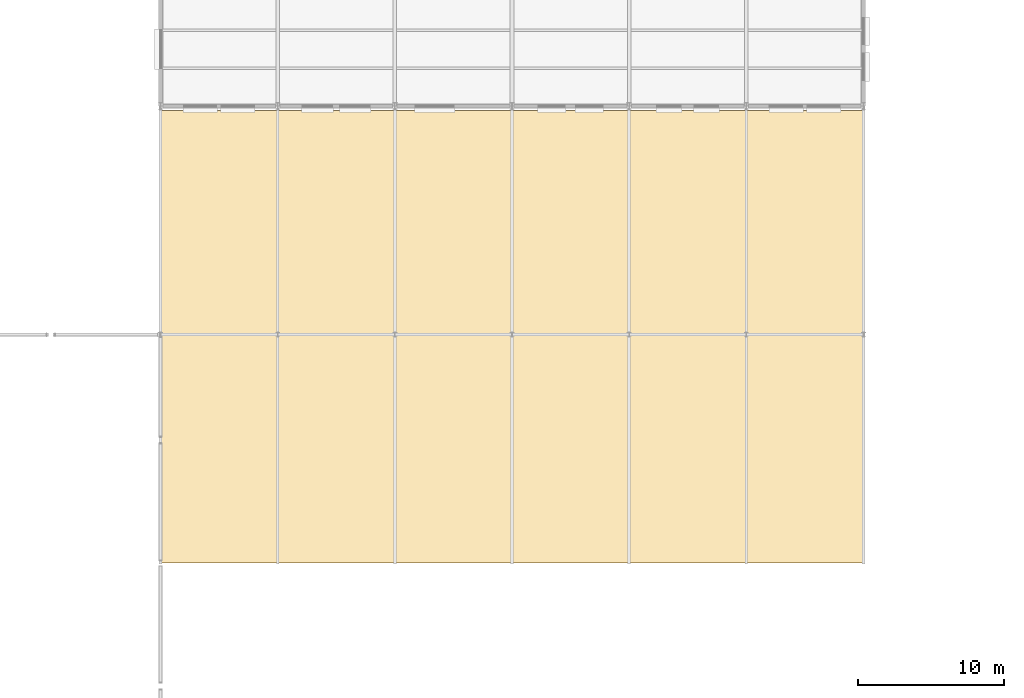
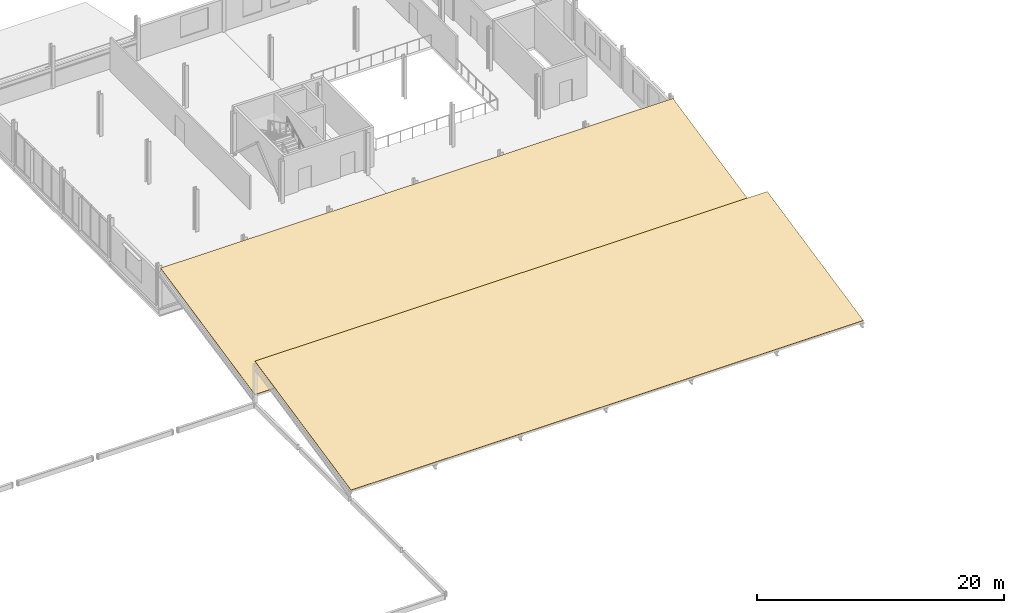
# One storey, part 42 of 45: 2 coverings.
"""IFC4 building model written with IfcOpenShell, lengths in metres."""

from ifc_helpers import new_model, si_unit, direction, frame, origin, place, context, subcontext, project, spatial, polyline, outline, extrude, material, layer, layer_set, type_object, element, save


model = new_model("IFC4")

# Units and contexts
model_context = context("Model", 3, precision=1e-05, world=origin(), true_north=direction((0.0, 1.0)))
body_context = subcontext(model_context, "Body", "Model", "MODEL_VIEW")
ifc_project = project(units=[si_unit("LENGTHUNIT", "METRE"), si_unit("AREAUNIT", "SQUARE_METRE"), si_unit("VOLUMEUNIT", "CUBIC_METRE"), si_unit("PLANEANGLEUNIT", "RADIAN"), si_unit("MASSUNIT", "GRAM", prefix="KILO")], contexts=[model_context])

# Site, building, storey
site_placement = place(None, origin())
site = spatial("IfcSite", under=ifc_project, at=site_placement, CompositionType="ELEMENT")
building_placement = place(site_placement, origin())
building = spatial("IfcBuilding", under=site, at=building_placement, Name="Yukiwa Park Conservatory and Herbarium", CompositionType="ELEMENT")
storey_placement = place(building_placement, frame((0.0, 0.0, 9.0)))
storey = spatial("IfcBuildingStorey", under=building, at=storey_placement, Name="L02", CompositionType="ELEMENT", Elevation=9.0)

# Coverings
ifc_material = material(Name="Roofing Membrane and PIR Insulation")
ifc_layer = layer(ifc_material, 0.0400390625)
ifc_layer_set = layer_set([ifc_layer], Name="Roofing Membrane and PIR Insulation")
covering_type = type_object("IfcCoveringType", Name="COV-ROOF-MEMBRANE", PredefinedType="ROOFING", material=ifc_layer_set)
covering_1_placement = place(storey_placement, frame((60.0, 15.60009765625, 0.736083984375), z_axis=(0.0, -0.207915694847, 0.978146749643), x_axis=(1.0, 0.0, 0.0)))
element("IfcCovering", 1, at=covering_1_placement, inside=storey, type_object=covering_type, Name="Botanical Concourse south insulated standing-seam roof covering", PredefinedType="ROOFING", context=body_context, shape_type="SweptSolid", body=[
    extrude(outline(polyline([(0.0, 0.0), (48.0, 0.0), (48.0, 15.94837739973684), (0.0, 15.94837739973684), (0.0, 0.0)])), origin(), (0.0, 0.0, -1.0), 0.0400390625),
])
covering_2_placement = place(storey_placement, frame((60.0, 31.199951171875, 0.736083984375), z_axis=(0.0, -0.207901130387, 0.978149845363), x_axis=(1.0, 0.0, 0.0)))
element("IfcCovering", 2, at=covering_2_placement, inside=storey, type_object=covering_type, Name="Botanical Concourse north insulated standing-seam roof covering", PredefinedType="ROOFING", context=body_context, shape_type="SweptSolid", body=[
    extrude(outline(polyline([(0.0, 0.0), (48.0, 0.0), (48.0, 15.641825125931001), (0.0, 15.641825125931001), (0.0, 0.0)])), origin(), (0.0, 0.0, -1.0), 0.0400390625),
])

save(model, "model.ifc")
